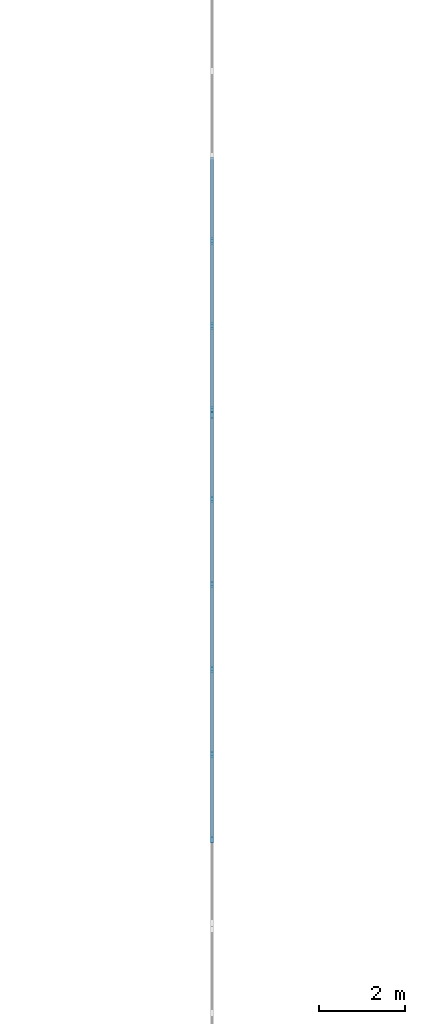
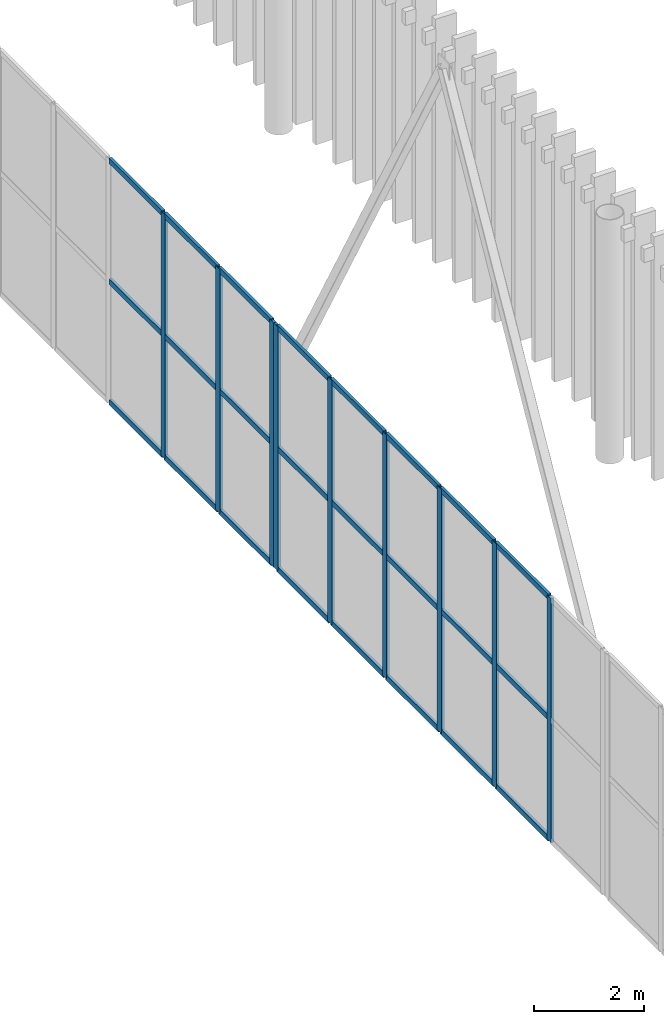
# One storey, part 69 of 170: 33 members, 2 elements without a shape of their own.
"""IFC4 building model written with IfcOpenShell, lengths in metres."""

from ifc_helpers import new_model, si_unit, direction, frame, origin, origin_2d, place, context, subcontext, project, spatial, rectangle, extrude, material, layer, layer_set, material_profile, profile_set, type_object, element, aggregate, save


model = new_model("IFC4")

# Units and contexts
model_context = context("Model", 3, precision=1e-05, world=origin(), true_north=direction((0.0, 1.0)))
body_context = subcontext(model_context, "Body", "Model", "MODEL_VIEW")
ifc_project = project(units=[si_unit("LENGTHUNIT", "METRE"), si_unit("AREAUNIT", "SQUARE_METRE"), si_unit("VOLUMEUNIT", "CUBIC_METRE"), si_unit("PLANEANGLEUNIT", "RADIAN"), si_unit("MASSUNIT", "GRAM", prefix="KILO")], contexts=[model_context])

# Site, building, storey
site_placement = place(None, origin())
site = spatial("IfcSite", under=ifc_project, at=site_placement, CompositionType="ELEMENT")
building_placement = place(site_placement, origin())
building = spatial("IfcBuilding", under=site, at=building_placement, Name="Ravi Spectrum Wholesale Market", CompositionType="ELEMENT")
storey_placement = place(building_placement, frame((0.0, 0.0, 5.39990234375)))
storey = spatial("IfcBuildingStorey", under=building, at=storey_placement, Name="L01", CompositionType="ELEMENT", Elevation=5.39990234375)

# Curtain wall, members
ifc_material_1 = material(Name="Aluminium 6063-T6", Category="aluminium")
ifc_layer = layer(ifc_material_1, 0.14990234375)
ifc_layer_set = layer_set([ifc_layer], Name="Aluminium 6063-T6")
curtain_wall_type = type_object("IfcCurtainWallType", Name="Curtain wall 150", PredefinedType="NOTDEFINED", material=ifc_layer_set)
curtain_wall_1_placement = place(storey_placement, origin())
curtain_wall_1 = element("IfcCurtainWall", 1, at=curtain_wall_1_placement, inside=storey, type_object=curtain_wall_type, Name="H1-CW-L01-024", PredefinedType="NOTDEFINED")
ifc_material_2 = material(Name="Aluminium 6063-T6", Category="aluminium")
ifc_material_profile_1 = material_profile(ifc_material_2, rectangle(XDim=0.06005859375, YDim=0.159912109375, at=origin_2d()))
ifc_profile_set_1 = profile_set([ifc_material_profile_1], Name="Aluminium 6063-T6")
member_type_1 = type_object("IfcMemberType", Name="Mullion 60 x 160", PredefinedType="MULLION", material=ifc_profile_set_1)
member_1_placement = place(storey_placement, frame((103.0, 140.026611328125, 0.0), z_axis=(0.0, 0.0, 1.0), x_axis=(-1.0, 0.0, 0.0)))
member_1 = element("IfcMember", 2, at=member_1_placement, type_object=member_type_1, Name="H1-CW-L01-024 mullion 2", PredefinedType="MULLION", context=body_context, shape_type="SweptSolid", body=[
    extrude(rectangle(XDim=0.06005859375, YDim=0.159912109375, at=origin_2d()), origin(), (0.0, 0.0, 1.0), 5.400146484375),
])
member_2_placement = place(storey_placement, frame((103.0, 142.013427734375, 0.0), z_axis=(0.0, 0.0, 1.0), x_axis=(-1.0, 0.0, 0.0)))
member_2 = element("IfcMember", 3, at=member_2_placement, type_object=member_type_1, Name="H1-CW-L01-024 mullion 3", PredefinedType="MULLION", context=body_context, shape_type="SweptSolid", body=[
    extrude(rectangle(XDim=0.06005859375, YDim=0.159912109375, at=origin_2d()), origin(), (0.0, 0.0, 1.0), 5.400146484375),
])
member_3_placement = place(storey_placement, frame((103.0, 144.0, 0.0), z_axis=(0.0, 0.0, 1.0), x_axis=(-1.0, 0.0, 0.0)))
member_3 = element("IfcMember", 4, at=member_3_placement, type_object=member_type_1, Name="H1-CW-L01-024 mullion 4", PredefinedType="MULLION", context=body_context, shape_type="SweptSolid", body=[
    extrude(rectangle(XDim=0.06005859375, YDim=0.159912109375, at=origin_2d()), origin(), (0.0, 0.0, 1.0), 5.400146484375),
])
member_4_placement = place(storey_placement, frame((103.0, 145.986572265625, 0.0), z_axis=(0.0, 0.0, 1.0), x_axis=(-1.0, 0.0, 0.0)))
member_4 = element("IfcMember", 5, at=member_4_placement, type_object=member_type_1, Name="H1-CW-L01-024 mullion 5", PredefinedType="MULLION", context=body_context, shape_type="SweptSolid", body=[
    extrude(rectangle(XDim=0.06005859375, YDim=0.159912109375, at=origin_2d()), origin(), (0.0, 0.0, 1.0), 5.400146484375),
])
member_5_placement = place(storey_placement, frame((103.0, 147.973388671875, 0.0), z_axis=(0.0, 0.0, 1.0), x_axis=(-1.0, 0.0, 0.0)))
member_5 = element("IfcMember", 6, at=member_5_placement, type_object=member_type_1, Name="H1-CW-L01-024 mullion 6", PredefinedType="MULLION", context=body_context, shape_type="SweptSolid", body=[
    extrude(rectangle(XDim=0.06005859375, YDim=0.159912109375, at=origin_2d()), origin(), (0.0, 0.0, 1.0), 5.400146484375),
])
member_6_placement = place(storey_placement, frame((103.0, 149.929931640625, 0.0), z_axis=(0.0, 0.0, 1.0), x_axis=(-1.0, 0.0, 0.0)))
member_6 = element("IfcMember", 7, at=member_6_placement, type_object=member_type_1, Name="H1-CW-L01-024 mullion 7", PredefinedType="MULLION", context=body_context, shape_type="SweptSolid", body=[
    extrude(rectangle(XDim=0.06005859375, YDim=0.159912109375, at=origin_2d()), origin(), (0.0, 0.0, 1.0), 5.400146484375),
])

curtain_wall_2_placement = place(storey_placement, origin())
curtain_wall_2 = element("IfcCurtainWall", 8, at=curtain_wall_2_placement, inside=storey, type_object=curtain_wall_type, Name="H1-CW-L01-025", PredefinedType="NOTDEFINED")
member_7_placement = place(storey_placement, frame((103.0, 150.070068359375, 0.0), z_axis=(0.0, 0.0, 1.0), x_axis=(-1.0, 0.0, 0.0)))
member_7 = element("IfcMember", 9, at=member_7_placement, type_object=member_type_1, Name="H1-CW-L01-025 mullion 1", PredefinedType="MULLION", context=body_context, shape_type="SweptSolid", body=[
    extrude(rectangle(XDim=0.06005859375, YDim=0.159912109375, at=origin_2d()), origin(), (0.0, 0.0, 1.0), 5.400146484375),
])
member_8_placement = place(storey_placement, frame((103.0, 152.026611328125, 0.0), z_axis=(0.0, 0.0, 1.0), x_axis=(-1.0, 0.0, 0.0)))
member_8 = element("IfcMember", 10, at=member_8_placement, type_object=member_type_1, Name="H1-CW-L01-025 mullion 2", PredefinedType="MULLION", context=body_context, shape_type="SweptSolid", body=[
    extrude(rectangle(XDim=0.06005859375, YDim=0.159912109375, at=origin_2d()), origin(), (0.0, 0.0, 1.0), 5.400146484375),
])
member_9_placement = place(storey_placement, frame((103.0, 154.013427734375, 0.0), z_axis=(0.0, 0.0, 1.0), x_axis=(-1.0, 0.0, 0.0)))
member_9 = element("IfcMember", 11, at=member_9_placement, type_object=member_type_1, Name="H1-CW-L01-025 mullion 3", PredefinedType="MULLION", context=body_context, shape_type="SweptSolid", body=[
    extrude(rectangle(XDim=0.06005859375, YDim=0.159912109375, at=origin_2d()), origin(), (0.0, 0.0, 1.0), 5.400146484375),
])

# Member
ifc_material_3 = material(Name="Aluminium 6063-T6", Category="aluminium")
ifc_material_profile_2 = material_profile(ifc_material_3, rectangle(XDim=0.06005859375, YDim=0.1201171875, at=origin_2d()))
ifc_profile_set_2 = profile_set([ifc_material_profile_2], Name="Aluminium 6063-T6")
member_type_2 = type_object("IfcMemberType", Name="Transom 60 x 120", PredefinedType="USERDEFINED", material=ifc_profile_set_2)
member_10_placement = place(storey_placement, frame((103.0, 140.056640625, 0.030029296875), z_axis=(0.0, 1.0, 0.0), x_axis=(-1.0, 0.0, 0.0)))
member_10 = element("IfcMember", 12, at=member_10_placement, type_object=member_type_2, Name="H1-CW-L01-024 transom 2.1", ObjectType="TRANSOM", PredefinedType="USERDEFINED", context=body_context, shape_type="SweptSolid", body=[
    extrude(rectangle(XDim=0.06005859375, YDim=0.1201171875, at=origin_2d()), origin(), (0.0, 0.0, 1.0), 1.9267578125),
])

member_11_placement = place(storey_placement, frame((103.0, 140.056640625, 2.7001953125), z_axis=(0.0, 1.0, 0.0), x_axis=(-1.0, 0.0, 0.0)))
member_11 = element("IfcMember", 13, at=member_11_placement, type_object=member_type_2, Name="H1-CW-L01-024 transom 2.2", ObjectType="TRANSOM", PredefinedType="USERDEFINED", context=body_context, shape_type="SweptSolid", body=[
    extrude(rectangle(XDim=0.06005859375, YDim=0.1201171875, at=origin_2d()), origin(), (0.0, 0.0, 1.0), 1.9267578125),
])

member_12_placement = place(storey_placement, frame((103.0, 140.056640625, 5.3701171875), z_axis=(0.0, 1.0, 0.0), x_axis=(-1.0, 0.0, 0.0)))
member_12 = element("IfcMember", 14, at=member_12_placement, type_object=member_type_2, Name="H1-CW-L01-024 transom 2.3", ObjectType="TRANSOM", PredefinedType="USERDEFINED", context=body_context, shape_type="SweptSolid", body=[
    extrude(rectangle(XDim=0.06005859375, YDim=0.1201171875, at=origin_2d()), origin(), (0.0, 0.0, 1.0), 1.9267578125),
])

member_13_placement = place(storey_placement, frame((103.0, 142.043212890625, 0.030029296875), z_axis=(0.0, 1.0, 0.0), x_axis=(-1.0, 0.0, 0.0)))
member_13 = element("IfcMember", 15, at=member_13_placement, type_object=member_type_2, Name="H1-CW-L01-024 transom 3.1", ObjectType="TRANSOM", PredefinedType="USERDEFINED", context=body_context, shape_type="SweptSolid", body=[
    extrude(rectangle(XDim=0.06005859375, YDim=0.1201171875, at=origin_2d()), origin(), (0.0, 0.0, 1.0), 1.9267578125),
])

member_14_placement = place(storey_placement, frame((103.0, 142.043212890625, 2.7001953125), z_axis=(0.0, 1.0, 0.0), x_axis=(-1.0, 0.0, 0.0)))
member_14 = element("IfcMember", 16, at=member_14_placement, type_object=member_type_2, Name="H1-CW-L01-024 transom 3.2", ObjectType="TRANSOM", PredefinedType="USERDEFINED", context=body_context, shape_type="SweptSolid", body=[
    extrude(rectangle(XDim=0.06005859375, YDim=0.1201171875, at=origin_2d()), origin(), (0.0, 0.0, 1.0), 1.9267578125),
])

member_15_placement = place(storey_placement, frame((103.0, 142.043212890625, 5.3701171875), z_axis=(0.0, 1.0, 0.0), x_axis=(-1.0, 0.0, 0.0)))
member_15 = element("IfcMember", 17, at=member_15_placement, type_object=member_type_2, Name="H1-CW-L01-024 transom 3.3", ObjectType="TRANSOM", PredefinedType="USERDEFINED", context=body_context, shape_type="SweptSolid", body=[
    extrude(rectangle(XDim=0.06005859375, YDim=0.1201171875, at=origin_2d()), origin(), (0.0, 0.0, 1.0), 1.9267578125),
])

member_16_placement = place(storey_placement, frame((103.0, 144.030029296875, 0.030029296875), z_axis=(0.0, 1.0, 0.0), x_axis=(-1.0, 0.0, 0.0)))
member_16 = element("IfcMember", 18, at=member_16_placement, type_object=member_type_2, Name="H1-CW-L01-024 transom 4.1", ObjectType="TRANSOM", PredefinedType="USERDEFINED", context=body_context, shape_type="SweptSolid", body=[
    extrude(rectangle(XDim=0.06005859375, YDim=0.1201171875, at=origin_2d()), origin(), (0.0, 0.0, 1.0), 1.9267578125),
])

member_17_placement = place(storey_placement, frame((103.0, 144.030029296875, 2.7001953125), z_axis=(0.0, 1.0, 0.0), x_axis=(-1.0, 0.0, 0.0)))
member_17 = element("IfcMember", 19, at=member_17_placement, type_object=member_type_2, Name="H1-CW-L01-024 transom 4.2", ObjectType="TRANSOM", PredefinedType="USERDEFINED", context=body_context, shape_type="SweptSolid", body=[
    extrude(rectangle(XDim=0.06005859375, YDim=0.1201171875, at=origin_2d()), origin(), (0.0, 0.0, 1.0), 1.9267578125),
])

member_18_placement = place(storey_placement, frame((103.0, 144.030029296875, 5.3701171875), z_axis=(0.0, 1.0, 0.0), x_axis=(-1.0, 0.0, 0.0)))
member_18 = element("IfcMember", 20, at=member_18_placement, type_object=member_type_2, Name="H1-CW-L01-024 transom 4.3", ObjectType="TRANSOM", PredefinedType="USERDEFINED", context=body_context, shape_type="SweptSolid", body=[
    extrude(rectangle(XDim=0.06005859375, YDim=0.1201171875, at=origin_2d()), origin(), (0.0, 0.0, 1.0), 1.9267578125),
])

member_19_placement = place(storey_placement, frame((103.0, 146.0166015625, 0.030029296875), z_axis=(0.0, 1.0, 0.0), x_axis=(-1.0, 0.0, 0.0)))
member_19 = element("IfcMember", 21, at=member_19_placement, type_object=member_type_2, Name="H1-CW-L01-024 transom 5.1", ObjectType="TRANSOM", PredefinedType="USERDEFINED", context=body_context, shape_type="SweptSolid", body=[
    extrude(rectangle(XDim=0.06005859375, YDim=0.1201171875, at=origin_2d()), origin(), (0.0, 0.0, 1.0), 1.9267578125),
])

member_20_placement = place(storey_placement, frame((103.0, 146.0166015625, 2.7001953125), z_axis=(0.0, 1.0, 0.0), x_axis=(-1.0, 0.0, 0.0)))
member_20 = element("IfcMember", 22, at=member_20_placement, type_object=member_type_2, Name="H1-CW-L01-024 transom 5.2", ObjectType="TRANSOM", PredefinedType="USERDEFINED", context=body_context, shape_type="SweptSolid", body=[
    extrude(rectangle(XDim=0.06005859375, YDim=0.1201171875, at=origin_2d()), origin(), (0.0, 0.0, 1.0), 1.9267578125),
])

member_21_placement = place(storey_placement, frame((103.0, 146.0166015625, 5.3701171875), z_axis=(0.0, 1.0, 0.0), x_axis=(-1.0, 0.0, 0.0)))
member_21 = element("IfcMember", 23, at=member_21_placement, type_object=member_type_2, Name="H1-CW-L01-024 transom 5.3", ObjectType="TRANSOM", PredefinedType="USERDEFINED", context=body_context, shape_type="SweptSolid", body=[
    extrude(rectangle(XDim=0.06005859375, YDim=0.1201171875, at=origin_2d()), origin(), (0.0, 0.0, 1.0), 1.9267578125),
])

member_22_placement = place(storey_placement, frame((103.0, 148.00341796875, 0.030029296875), z_axis=(0.0, 1.0, 0.0), x_axis=(-1.0, 0.0, 0.0)))
member_22 = element("IfcMember", 24, at=member_22_placement, type_object=member_type_2, Name="H1-CW-L01-024 transom 6.1", ObjectType="TRANSOM", PredefinedType="USERDEFINED", context=body_context, shape_type="SweptSolid", body=[
    extrude(rectangle(XDim=0.06005859375, YDim=0.1201171875, at=origin_2d()), origin(), (0.0, 0.0, 1.0), 1.896484375),
])

member_23_placement = place(storey_placement, frame((103.0, 148.00341796875, 2.7001953125), z_axis=(0.0, 1.0, 0.0), x_axis=(-1.0, 0.0, 0.0)))
member_23 = element("IfcMember", 25, at=member_23_placement, type_object=member_type_2, Name="H1-CW-L01-024 transom 6.2", ObjectType="TRANSOM", PredefinedType="USERDEFINED", context=body_context, shape_type="SweptSolid", body=[
    extrude(rectangle(XDim=0.06005859375, YDim=0.1201171875, at=origin_2d()), origin(), (0.0, 0.0, 1.0), 1.896484375),
])

member_24_placement = place(storey_placement, frame((103.0, 148.00341796875, 5.3701171875), z_axis=(0.0, 1.0, 0.0), x_axis=(-1.0, 0.0, 0.0)))
member_24 = element("IfcMember", 26, at=member_24_placement, type_object=member_type_2, Name="H1-CW-L01-024 transom 6.3", ObjectType="TRANSOM", PredefinedType="USERDEFINED", context=body_context, shape_type="SweptSolid", body=[
    extrude(rectangle(XDim=0.06005859375, YDim=0.1201171875, at=origin_2d()), origin(), (0.0, 0.0, 1.0), 1.896484375),
])

aggregate(curtain_wall_1, [member_1, member_2, member_3, member_4, member_5, member_6, member_10, member_11, member_12, member_13, member_14, member_15, member_16, member_17, member_18, member_19, member_20, member_21, member_22, member_23, member_24])

member_25_placement = place(storey_placement, frame((103.0, 150.10009765625, 0.030029296875), z_axis=(0.0, 1.0, 0.0), x_axis=(-1.0, 0.0, 0.0)))
member_25 = element("IfcMember", 27, at=member_25_placement, type_object=member_type_2, Name="H1-CW-L01-025 transom 1.1", ObjectType="TRANSOM", PredefinedType="USERDEFINED", context=body_context, shape_type="SweptSolid", body=[
    extrude(rectangle(XDim=0.06005859375, YDim=0.1201171875, at=origin_2d()), origin(), (0.0, 0.0, 1.0), 1.896484375),
])

member_26_placement = place(storey_placement, frame((103.0, 150.10009765625, 2.7001953125), z_axis=(0.0, 1.0, 0.0), x_axis=(-1.0, 0.0, 0.0)))
member_26 = element("IfcMember", 28, at=member_26_placement, type_object=member_type_2, Name="H1-CW-L01-025 transom 1.2", ObjectType="TRANSOM", PredefinedType="USERDEFINED", context=body_context, shape_type="SweptSolid", body=[
    extrude(rectangle(XDim=0.06005859375, YDim=0.1201171875, at=origin_2d()), origin(), (0.0, 0.0, 1.0), 1.896484375),
])

member_27_placement = place(storey_placement, frame((103.0, 150.10009765625, 5.3701171875), z_axis=(0.0, 1.0, 0.0), x_axis=(-1.0, 0.0, 0.0)))
member_27 = element("IfcMember", 29, at=member_27_placement, type_object=member_type_2, Name="H1-CW-L01-025 transom 1.3", ObjectType="TRANSOM", PredefinedType="USERDEFINED", context=body_context, shape_type="SweptSolid", body=[
    extrude(rectangle(XDim=0.06005859375, YDim=0.1201171875, at=origin_2d()), origin(), (0.0, 0.0, 1.0), 1.896484375),
])

member_28_placement = place(storey_placement, frame((103.0, 152.056640625, 0.030029296875), z_axis=(0.0, 1.0, 0.0), x_axis=(-1.0, 0.0, 0.0)))
member_28 = element("IfcMember", 30, at=member_28_placement, type_object=member_type_2, Name="H1-CW-L01-025 transom 2.1", ObjectType="TRANSOM", PredefinedType="USERDEFINED", context=body_context, shape_type="SweptSolid", body=[
    extrude(rectangle(XDim=0.06005859375, YDim=0.1201171875, at=origin_2d()), origin(), (0.0, 0.0, 1.0), 1.9267578125),
])

member_29_placement = place(storey_placement, frame((103.0, 152.056640625, 2.7001953125), z_axis=(0.0, 1.0, 0.0), x_axis=(-1.0, 0.0, 0.0)))
member_29 = element("IfcMember", 31, at=member_29_placement, type_object=member_type_2, Name="H1-CW-L01-025 transom 2.2", ObjectType="TRANSOM", PredefinedType="USERDEFINED", context=body_context, shape_type="SweptSolid", body=[
    extrude(rectangle(XDim=0.06005859375, YDim=0.1201171875, at=origin_2d()), origin(), (0.0, 0.0, 1.0), 1.9267578125),
])

member_30_placement = place(storey_placement, frame((103.0, 152.056640625, 5.3701171875), z_axis=(0.0, 1.0, 0.0), x_axis=(-1.0, 0.0, 0.0)))
member_30 = element("IfcMember", 32, at=member_30_placement, type_object=member_type_2, Name="H1-CW-L01-025 transom 2.3", ObjectType="TRANSOM", PredefinedType="USERDEFINED", context=body_context, shape_type="SweptSolid", body=[
    extrude(rectangle(XDim=0.06005859375, YDim=0.1201171875, at=origin_2d()), origin(), (0.0, 0.0, 1.0), 1.9267578125),
])

member_31_placement = place(storey_placement, frame((103.0, 154.043212890625, 0.030029296875), z_axis=(0.0, 1.0, 0.0), x_axis=(-1.0, 0.0, 0.0)))
member_31 = element("IfcMember", 33, at=member_31_placement, type_object=member_type_2, Name="H1-CW-L01-025 transom 3.1", ObjectType="TRANSOM", PredefinedType="USERDEFINED", context=body_context, shape_type="SweptSolid", body=[
    extrude(rectangle(XDim=0.06005859375, YDim=0.1201171875, at=origin_2d()), origin(), (0.0, 0.0, 1.0), 1.9267578125),
])

member_32_placement = place(storey_placement, frame((103.0, 154.043212890625, 2.7001953125), z_axis=(0.0, 1.0, 0.0), x_axis=(-1.0, 0.0, 0.0)))
member_32 = element("IfcMember", 34, at=member_32_placement, type_object=member_type_2, Name="H1-CW-L01-025 transom 3.2", ObjectType="TRANSOM", PredefinedType="USERDEFINED", context=body_context, shape_type="SweptSolid", body=[
    extrude(rectangle(XDim=0.06005859375, YDim=0.1201171875, at=origin_2d()), origin(), (0.0, 0.0, 1.0), 1.9267578125),
])

member_33_placement = place(storey_placement, frame((103.0, 154.043212890625, 5.3701171875), z_axis=(0.0, 1.0, 0.0), x_axis=(-1.0, 0.0, 0.0)))
member_33 = element("IfcMember", 35, at=member_33_placement, type_object=member_type_2, Name="H1-CW-L01-025 transom 3.3", ObjectType="TRANSOM", PredefinedType="USERDEFINED", context=body_context, shape_type="SweptSolid", body=[
    extrude(rectangle(XDim=0.06005859375, YDim=0.1201171875, at=origin_2d()), origin(), (0.0, 0.0, 1.0), 1.9267578125),
])

aggregate(curtain_wall_2, [member_7, member_8, member_9, member_25, member_26, member_27, member_28, member_29, member_30, member_31, member_32, member_33])

save(model, "model.ifc")
